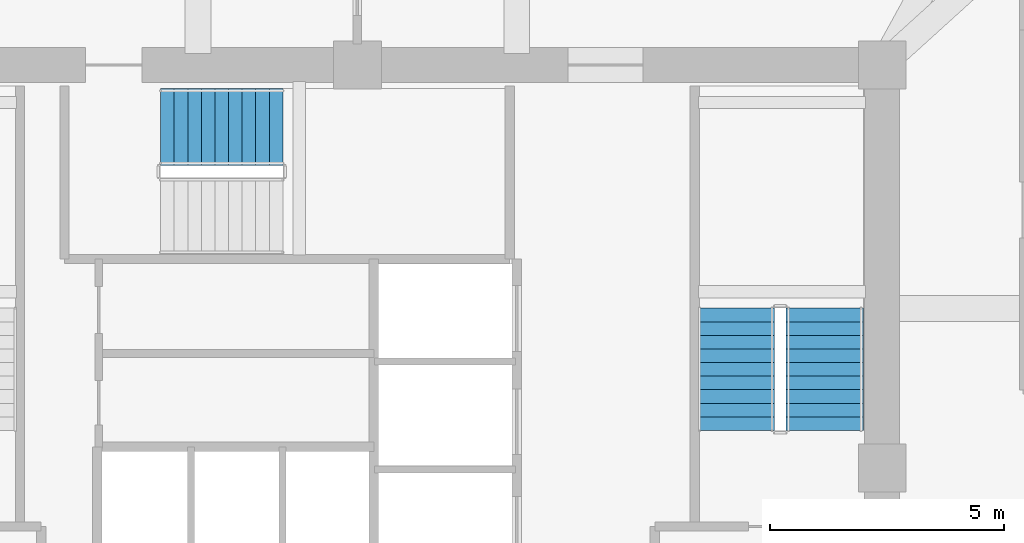
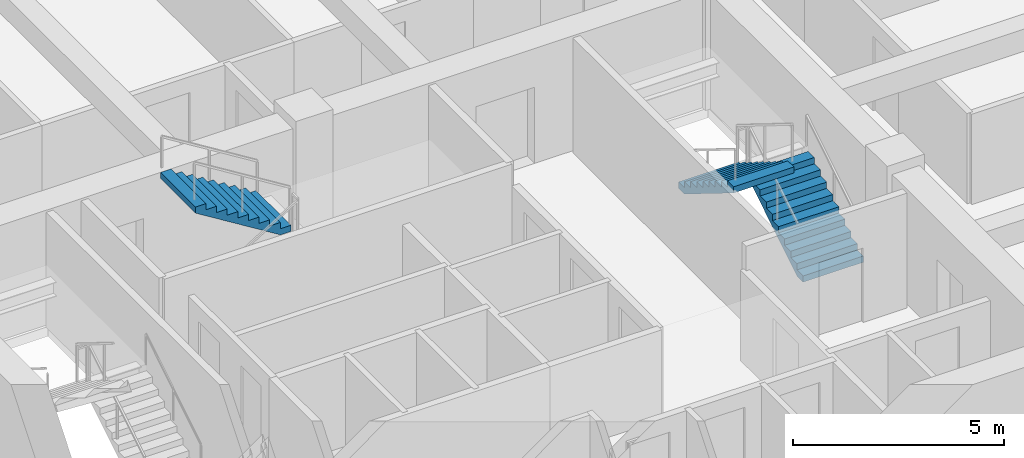
# One storey, part 11 of 13: 3 stair flights, 2 elements without a shape of their own.
"""IFC4 building model written with IfcOpenShell, lengths in metres."""

from ifc_helpers import new_model, si_unit, derived_unit, direction, frame, origin, place, context, subcontext, project, spatial, polyline, outline, extrude, material, type_object, element, aggregate, save


model = new_model("IFC4")

# Units and contexts
model_context = context("Model", 3, precision=1e-05, world=origin(), true_north=direction((0.0, 1.0)))
body_context = subcontext(model_context, "Body", "Model", "MODEL_VIEW")
ifc_project = project(units=[si_unit("LENGTHUNIT", "METRE"), si_unit("AREAUNIT", "SQUARE_METRE"), si_unit("VOLUMEUNIT", "CUBIC_METRE"), si_unit("PLANEANGLEUNIT", "RADIAN"), si_unit("MASSUNIT", "GRAM", prefix="KILO"), derived_unit("THERMALTRANSMITTANCEUNIT", [(si_unit("POWERUNIT", "WATT"), 1), (si_unit("LENGTHUNIT", "METRE"), -2), (si_unit("THERMODYNAMICTEMPERATUREUNIT", "KELVIN"), -1)])], contexts=[model_context])

# Site, building, storey
site_placement = place(None, origin())
site = spatial("IfcSite", under=ifc_project, at=site_placement, CompositionType="ELEMENT")
building_placement = place(site_placement, origin())
building = spatial("IfcBuilding", under=site, at=building_placement, Name="Koralith Skygarden Medical Center", CompositionType="ELEMENT")
storey_placement = place(building_placement, frame((0.0, 0.0, 102.780029296875)))
storey = spatial("IfcBuildingStorey", under=building, at=storey_placement, Name="L26", CompositionType="ELEMENT", Elevation=102.780029296875)

# Stair, stair flights
ifc_material = material(Name="Concrete C45/55", Category="concrete")
stair_type = type_object("IfcStairType", Name="Core Exit Dogleg Concrete Stair", PredefinedType="HALF_TURN_STAIR", material=ifc_material)
stair_1_placement = place(storey_placement, origin())
stair_1 = element("IfcStair", 1, at=stair_1_placement, inside=storey, type_object=stair_type, Name="L26 Smokeproof Exit Stair ST2", PredefinedType="HALF_TURN_STAIR")
stair_flight_type = type_object("IfcStairFlightType", Name="Core Exit Concrete Stair Flight 1650", PredefinedType="STRAIGHT", material=ifc_material)
stair_flight_1_placement = place(storey_placement, frame((46.97509765625, 26.699951171875, 0.0), z_axis=(0.0, 0.0, 1.0), x_axis=(0.0, 1.0, 0.0)))
stair_flight_1 = element("IfcStairFlight", 2, at=stair_flight_1_placement, type_object=stair_flight_type, Name="ST2 flight 1", NumberOfRisers=10, NumberOfTreads=9, PredefinedType="STRAIGHT", RiserHeight=0.18, TreadLength=0.29, context=body_context, shape_type="SweptSolid", body=[
    extrude(outline(polyline([(0.0, 0.0), (0.0, 0.179931640625), (0.2900390625, 0.179931640625), (0.2900390625, 0.360107421875), (0.580078125, 0.360107421875), (0.580078125, 0.5400390625), (0.8701171875, 0.5400390625), (0.8701171875, 0.719970703125), (1.159912109375, 0.719970703125), (1.159912109375, 0.89990234375), (1.449951171875, 0.89990234375), (1.449951171875, 1.080078125), (1.739990234375, 1.080078125), (1.739990234375, 1.260009765625), (2.030029296875, 1.260009765625), (2.030029296875, 1.43994140625), (2.320068359375, 1.43994140625), (2.320068359375, 1.6201171875), (2.610107421875, 1.6201171875), (2.610107421875, 1.800048828125), (2.610107421875, 1.443603515625), (0.2841796875, 0.0), (0.0, 0.0)])), frame((0.0, 0.824951171875, 0.0), z_axis=(0.0, -1.0, 0.0), x_axis=(1.0, 0.0, 0.0)), (0.0, 0.0, 1.0), 1.64990234375),
])
stair_flight_2_placement = place(storey_placement, frame((45.074951171875, 29.31005859375, 1.800048828125), z_axis=(0.0, 0.0, 1.0), x_axis=(0.0, -1.0, 0.0)))
stair_flight_2 = element("IfcStairFlight", 3, at=stair_flight_2_placement, type_object=stair_flight_type, Name="ST2 flight 2", NumberOfRisers=10, NumberOfTreads=9, PredefinedType="STRAIGHT", RiserHeight=0.18, TreadLength=0.29, context=body_context, shape_type="SweptSolid", body=[
    extrude(outline(polyline([(0.0, 0.0), (0.0, 0.179931640625), (0.2900390625, 0.179931640625), (0.2900390625, 0.360107421875), (0.580078125, 0.360107421875), (0.580078125, 0.5400390625), (0.8701171875, 0.5400390625), (0.8701171875, 0.719970703125), (1.159912109375, 0.719970703125), (1.159912109375, 0.89990234375), (1.449951171875, 0.89990234375), (1.449951171875, 1.080078125), (1.739990234375, 1.080078125), (1.739990234375, 1.260009765625), (2.030029296875, 1.260009765625), (2.030029296875, 1.43994140625), (2.320068359375, 1.43994140625), (2.320068359375, 1.6201171875), (2.610107421875, 1.6201171875), (2.610107421875, 1.800048828125), (2.610107421875, 1.443603515625), (0.2841796875, 0.0), (0.0, 0.0)])), frame((0.0, 0.824951171875, 0.0), z_axis=(0.0, -1.0, 0.0), x_axis=(1.0, 0.0, 0.0)), (0.0, 0.0, 1.0), 1.64990234375),
])
aggregate(stair_1, [stair_flight_1, stair_flight_2])

# Stair, stair flight
stair_2_placement = place(storey_placement, origin())
stair_2 = element("IfcStair", 4, at=stair_2_placement, inside=storey, type_object=stair_type, Name="L26 Smokeproof Exit Stair ST3", PredefinedType="HALF_TURN_STAIR")
stair_flight_3_placement = place(storey_placement, frame((35.409912109375, 33.175048828125, 1.800048828125), z_axis=(0.0, 0.0, 1.0), x_axis=(-1.0, 0.0, 0.0)))
stair_flight_3 = element("IfcStairFlight", 5, at=stair_flight_3_placement, type_object=stair_flight_type, Name="ST3 flight 2", NumberOfRisers=10, NumberOfTreads=9, PredefinedType="STRAIGHT", RiserHeight=0.18, TreadLength=0.29, context=body_context, shape_type="SweptSolid", body=[
    extrude(outline(polyline([(0.0, 0.0), (0.0, 0.179931640625), (0.2900390625, 0.179931640625), (0.2900390625, 0.360107421875), (0.580078125, 0.360107421875), (0.580078125, 0.5400390625), (0.8701171875, 0.5400390625), (0.8701171875, 0.719970703125), (1.159912109375, 0.719970703125), (1.159912109375, 0.89990234375), (1.449951171875, 0.89990234375), (1.449951171875, 1.080078125), (1.739990234375, 1.080078125), (1.739990234375, 1.260009765625), (2.030029296875, 1.260009765625), (2.030029296875, 1.43994140625), (2.320068359375, 1.43994140625), (2.320068359375, 1.6201171875), (2.610107421875, 1.6201171875), (2.610107421875, 1.800048828125), (2.610107421875, 1.443603515625), (0.2841796875, 0.0), (0.0, 0.0)])), frame((0.0, 0.824951171875, 0.0), z_axis=(0.0, -1.0, 0.0), x_axis=(1.0, 0.0, 0.0)), (0.0, 0.0, 1.0), 1.64990234375),
])
aggregate(stair_2, [stair_flight_3])

save(model, "model.ifc")
